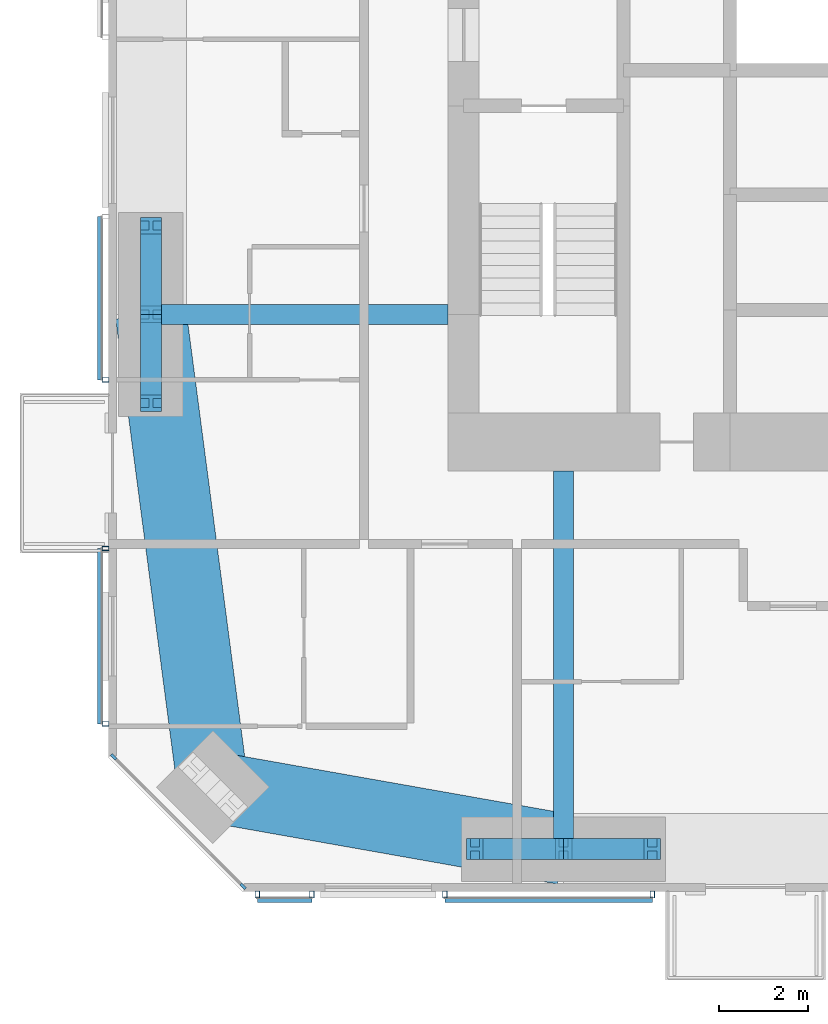
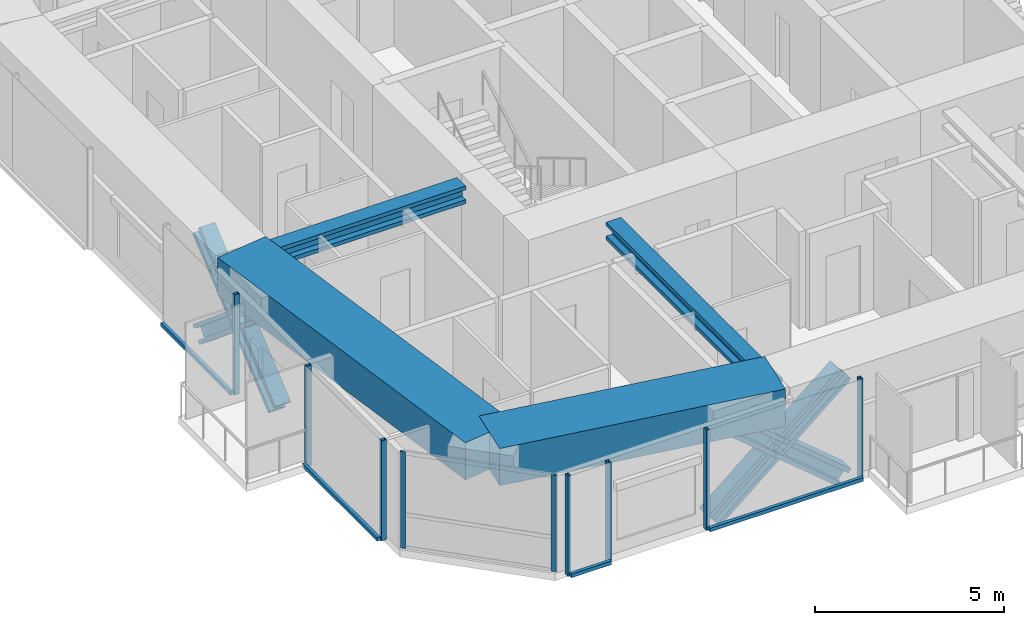
# One storey, part 2 of 23: 21 members, 4 beams, 5 elements without a shape of their own.
"""IFC4 building model written with IfcOpenShell, lengths in metres."""

from ifc_helpers import new_model, si_unit, direction, frame, origin, origin_2d, place, context, subcontext, project, spatial, rectangle, hollow_rectangle, i_section, extrude, material, material_profile, profile_set, type_object, element, aggregate, save


model = new_model("IFC4")

# Units and contexts
model_context = context("Model", 3, precision=1e-05, world=origin(), true_north=direction((0.0, 1.0)))
body_context = subcontext(model_context, "Body", "Model", "MODEL_VIEW")
ifc_project = project(units=[si_unit("LENGTHUNIT", "METRE"), si_unit("AREAUNIT", "SQUARE_METRE"), si_unit("VOLUMEUNIT", "CUBIC_METRE"), si_unit("PLANEANGLEUNIT", "RADIAN"), si_unit("MASSUNIT", "GRAM", prefix="KILO")], contexts=[model_context])

# Site, building, storey
site_placement = place(None, origin())
site = spatial("IfcSite", under=ifc_project, at=site_placement, CompositionType="ELEMENT")
building_placement = place(site_placement, origin())
building = spatial("IfcBuilding", under=site, at=building_placement, Name="Jalousie Tower", CompositionType="ELEMENT")
storey_placement = place(building_placement, frame((0.0, 0.0, 171.10009765625)))
storey = spatial("IfcBuildingStorey", under=building, at=storey_placement, Name="L46", CompositionType="ELEMENT", Elevation=171.10009765625)

# Curtain wall, members
ifc_material_1 = material(Name="Aluminium curtain wall", Category="aluminium")
curtain_wall_type_1 = type_object("IfcCurtainWallType", Name="CORNER WINDOW WALL", PredefinedType="USERDEFINED", material=ifc_material_1)
curtain_wall_1_placement = place(storey_placement, origin())
curtain_wall_1 = element("IfcCurtainWall", 1, at=curtain_wall_1_placement, inside=storey, type_object=curtain_wall_type_1, Name="Corner Window Wall L46 8", ObjectType="CORNER WINDOW WALL", PredefinedType="USERDEFINED")
ifc_material_2 = material(Name="Aluminium mullion", Category="aluminium")
ifc_material_profile_1 = material_profile(ifc_material_2, rectangle(XDim=0.06005859375, YDim=0.14990234375, at=origin_2d()), Name="MULLION 60x150")
ifc_profile_set_1 = profile_set([ifc_material_profile_1], Name="Aluminium mullion")
member_type_1 = type_object("IfcMemberType", Name="CORNER WINDOW WALL MULLION", PredefinedType="MULLION", material=ifc_profile_set_1)
member_1_placement = place(storey_placement, frame((12.108642578125, 3.030029296875, 0.0), z_axis=(0.0, 0.0, 1.0), x_axis=(0.707106781187, 0.707106781187, 0.0)))
member_1 = element("IfcMember", 2, at=member_1_placement, type_object=member_type_1, Name="CW-C mullion 1", PredefinedType="MULLION", context=body_context, shape_type="SweptSolid", body=[
    extrude(rectangle(XDim=0.06005859375, YDim=0.14990234375, at=origin_2d()), origin(), (0.0, 0.0, 1.0), 3.10986328125),
])
member_2_placement = place(storey_placement, frame((15.030029296875, 0.108642578125, 0.0), z_axis=(0.0, 0.0, 1.0), x_axis=(0.707106781187, 0.707106781187, 0.0)))
member_2 = element("IfcMember", 3, at=member_2_placement, type_object=member_type_1, Name="CW-C mullion 2", PredefinedType="MULLION", context=body_context, shape_type="SweptSolid", body=[
    extrude(rectangle(XDim=0.06005859375, YDim=0.14990234375, at=origin_2d()), origin(), (0.0, 0.0, 1.0), 3.10986328125),
])
aggregate(curtain_wall_1, [member_1, member_2])

# Beams
ifc_material_3 = material(Name="Steel ASTM A992 Grade 50", Category="steel")
ifc_material_profile_2 = material_profile(ifc_material_3, i_section(OverallWidth=0.45458984375, OverallDepth=0.569091796875, WebThickness=0.077880859375, FlangeThickness=0.124755859375, at=origin_2d()), Name="W14X730")
ifc_profile_set_2 = profile_set([ifc_material_profile_2], Name="Steel ASTM A992 Grade 50")
beam_type_1 = type_object("IfcBeamType", Name="LEAN COLLECTOR W14X730", PredefinedType="BEAM", material=ifc_profile_set_2)
beam_1_placement = place(storey_placement, frame((12.949951171875, 13.0, 2.825439453125), z_axis=(1.0, 0.0, 0.0), x_axis=(0.0, 1.0, 0.0)))
element("IfcBeam", 4, at=beam_1_placement, inside=storey, type_object=beam_type_1, Name="Lean collector under L47", PredefinedType="BEAM", context=body_context, shape_type="SweptSolid", body=[
    extrude(i_section(OverallWidth=0.45458984375, OverallDepth=0.569091796875, WebThickness=0.077880859375, FlangeThickness=0.124755859375, at=origin_2d()), origin(), (0.0, 0.0, 1.0), 6.699951171875),
])
beam_2_placement = place(storey_placement, frame((22.25, 0.949951171875, 2.825439453125), z_axis=(0.0, 1.0, 0.0), x_axis=(-1.0, 0.0, 0.0)))
element("IfcBeam", 5, at=beam_2_placement, inside=storey, type_object=beam_type_1, Name="Lean collector under L47", PredefinedType="BEAM", context=body_context, shape_type="SweptSolid", body=[
    extrude(i_section(OverallWidth=0.45458984375, OverallDepth=0.569091796875, WebThickness=0.077880859375, FlangeThickness=0.124755859375, at=origin_2d()), origin(), (0.0, 0.0, 1.0), 8.525146484375),
])

# Members
ifc_material_4 = material(Name="Steel ASTM A992 Grade 50", Category="steel")
ifc_material_profile_3 = material_profile(ifc_material_4, i_section(OverallWidth=0.472412109375, OverallDepth=0.5791015625, WebThickness=0.094970703125, FlangeThickness=0.1298828125, at=origin_2d()), Name="W14X808")
ifc_profile_set_3 = profile_set([ifc_material_profile_3], Name="Steel ASTM A992 Grade 50")
member_type_2 = type_object("IfcMemberType", Name="PERIMETER BRACE W14X808", PredefinedType="BRACE", material=ifc_profile_set_3)
for number, where, z_axis, x_axis, name in (
    (6, (20.25, 0.949951171875, -0.60009765625), (0.766638753323, 0.0, 0.642078672674), (0.0, 1.0, 0.0), "Perimeter brace 02 L46 part 1"),
    (7, (22.25, 0.949951171875, 1.074951171875), (0.766638753323, 0.0, 0.642078672674), (0.0, 1.0, 0.0), "Perimeter brace 02 L46 part 2"),
    (8, (24.25, 0.949951171875, -0.60009765625), (-0.766638753323, 0.0, 0.642078672674), (0.0, -1.0, 0.0), "Perimeter brace 02 L46 part 3"),
    (9, (22.25, 0.949951171875, 1.074951171875), (-0.766638753323, 0.0, 0.642078672674), (0.0, -1.0, 0.0), "Perimeter brace 02 L46 part 4"),
    (10, (12.949951171875, 11.0, -0.60009765625), (0.0, 0.766638753323, 0.642078672674), (-1.0, 0.0, 0.0), "Perimeter brace 14 L46 part 1"),
    (11, (12.949951171875, 13.0, 1.074951171875), (0.0, 0.766638753323, 0.642078672674), (-1.0, 0.0, 0.0), "Perimeter brace 14 L46 part 2"),
    (12, (12.949951171875, 15.0, -0.60009765625), (0.0, -0.766638753323, 0.642078672674), (1.0, 0.0, 0.0), "Perimeter brace 14 L46 part 3"),
    (13, (12.949951171875, 13.0, 1.074951171875), (0.0, -0.766638753323, 0.642078672674), (1.0, 0.0, 0.0), "Perimeter brace 14 L46 part 4"),
):
    element("IfcMember", number, at=place(storey_placement, frame(where, z_axis=z_axis, x_axis=x_axis)), inside=storey, type_object=member_type_2, Name=name, PredefinedType="BRACE", context=body_context, shape_type="SweptSolid", body=[
        extrude(i_section(OverallWidth=0.472412109375, OverallDepth=0.5791015625, WebThickness=0.094970703125, FlangeThickness=0.1298828125, at=origin_2d()), origin(), (0.0, 0.0, 1.0), 2.60888671875),
    ])

# Beams
ifc_material_5 = material(Name="Concrete f'c 40 MPa", Category="concrete")
ifc_material_profile_4 = material_profile(ifc_material_5, rectangle(XDim=1.60009765625, YDim=1.199951171875, at=origin_2d()), Name="RC 1600x1200")
ifc_profile_set_4 = profile_set([ifc_material_profile_4], Name="Concrete f'c 40 MPa")
beam_type_2 = type_object("IfcBeamType", Name="RC BEAM 1600x1200", PredefinedType="BEAM", material=ifc_profile_set_4)
beam_3_placement = place(storey_placement, frame((14.348388671875, 2.348388671875, 2.75), z_axis=(0.984697370688, -0.174273027632, 0.0), x_axis=(0.174273027632, 0.984697370688, 0.0)))
element("IfcBeam", 14, at=beam_3_placement, inside=storey, type_object=beam_type_2, Name="Edge band beam 01-02 under L47", PredefinedType="BEAM", context=body_context, shape_type="SweptSolid", body=[
    extrude(rectangle(XDim=1.60009765625, YDim=1.199951171875, at=origin_2d()), origin(), (0.0, 0.0, 1.0), 8.0244140625),
])
beam_4_placement = place(storey_placement, frame((12.949951171875, 13.0, 2.75), z_axis=(0.130171745558, -0.991491460709, 0.0), x_axis=(0.991491460709, 0.130171745558, 0.0)))
element("IfcBeam", 15, at=beam_4_placement, inside=storey, type_object=beam_type_2, Name="Edge band beam 14-01 under L47", PredefinedType="BEAM", context=body_context, shape_type="SweptSolid", body=[
    extrude(rectangle(XDim=1.60009765625, YDim=1.199951171875, at=origin_2d()), origin(), (0.0, 0.0, 1.0), 10.742919921875),
])

# Curtain wall, members
ifc_material_6 = material(Name="Perforated aluminium sheet", Category="aluminium")
curtain_wall_type_2 = type_object("IfcCurtainWallType", Name="SOLAR SCREEN SS-1", PredefinedType="USERDEFINED", material=ifc_material_6)
curtain_wall_2_placement = place(storey_placement, origin())
curtain_wall_2 = element("IfcCurtainWall", 16, at=curtain_wall_2_placement, inside=storey, type_object=curtain_wall_type_2, Name="Solar screen L46", ObjectType="SOLAR SCREEN SS-1", PredefinedType="USERDEFINED")
ifc_material_7 = material(Name="Steel ASTM A500 Grade C", Category="steel")
ifc_material_profile_5 = material_profile(ifc_material_7, hollow_rectangle(XDim=0.1015625, YDim=0.15234375, WallThickness=0.00634765625, at=origin_2d()), Name="HSS6X4X1/4")
ifc_profile_set_5 = profile_set([ifc_material_profile_5], Name="Steel ASTM A500 Grade C")
member_type_3 = type_object("IfcMemberType", Name="SOLAR SCREEN SS-1 MULLION", PredefinedType="MULLION", material=ifc_profile_set_5)
member_3_placement = place(storey_placement, frame((15.351318359375, -0.0712890625, -0.1201171875), z_axis=(0.0, 0.0, 1.0), x_axis=(1.0, 0.0, 0.0)))
member_3 = element("IfcMember", 17, at=member_3_placement, type_object=member_type_3, Name="SS1 post 1", PredefinedType="MULLION", context=body_context, shape_type="SweptSolid", body=[
    extrude(hollow_rectangle(XDim=0.1015625, YDim=0.15234375, WallThickness=0.00634765625, at=origin_2d()), origin(), (0.0, 0.0, 1.0), 3.22998046875),
])
member_4_placement = place(storey_placement, frame((16.57568359375, -0.0712890625, -0.1201171875), z_axis=(0.0, 0.0, 1.0), x_axis=(1.0, 0.0, 0.0)))
member_4 = element("IfcMember", 18, at=member_4_placement, type_object=member_type_3, Name="SS1 post 2", PredefinedType="MULLION", context=body_context, shape_type="SweptSolid", body=[
    extrude(hollow_rectangle(XDim=0.1015625, YDim=0.15234375, WallThickness=0.00634765625, at=origin_2d()), origin(), (0.0, 0.0, 1.0), 3.22998046875),
])

curtain_wall_3_placement = place(storey_placement, origin())
curtain_wall_3 = element("IfcCurtainWall", 19, at=curtain_wall_3_placement, inside=storey, type_object=curtain_wall_type_2, Name="Solar screen L46", ObjectType="SOLAR SCREEN SS-1", PredefinedType="USERDEFINED")
member_5_placement = place(storey_placement, frame((19.57568359375, -0.0712890625, -0.1201171875), z_axis=(0.0, 0.0, 1.0), x_axis=(1.0, 0.0, 0.0)))
member_5 = element("IfcMember", 20, at=member_5_placement, type_object=member_type_3, Name="SS1 post 1", PredefinedType="MULLION", context=body_context, shape_type="SweptSolid", body=[
    extrude(hollow_rectangle(XDim=0.1015625, YDim=0.15234375, WallThickness=0.00634765625, at=origin_2d()), origin(), (0.0, 0.0, 1.0), 3.22998046875),
])
member_6_placement = place(storey_placement, frame((24.25, -0.0712890625, -0.1201171875), z_axis=(0.0, 0.0, 1.0), x_axis=(1.0, 0.0, 0.0)))
member_6 = element("IfcMember", 21, at=member_6_placement, type_object=member_type_3, Name="SS1 post 2", PredefinedType="MULLION", context=body_context, shape_type="SweptSolid", body=[
    extrude(hollow_rectangle(XDim=0.1015625, YDim=0.15234375, WallThickness=0.00634765625, at=origin_2d()), origin(), (0.0, 0.0, 1.0), 3.22998046875),
])

# Curtain wall, member
curtain_wall_4_placement = place(storey_placement, origin())
curtain_wall_4 = element("IfcCurtainWall", 22, at=curtain_wall_4_placement, inside=storey, type_object=curtain_wall_type_2, Name="Solar screen L46", ObjectType="SOLAR SCREEN SS-1", PredefinedType="USERDEFINED")
member_7_placement = place(storey_placement, frame((11.9287109375, 11.52490234375, -0.1201171875), z_axis=(0.0, 0.0, 1.0), x_axis=(0.0, -1.0, 0.0)))
member_7 = element("IfcMember", 23, at=member_7_placement, type_object=member_type_3, Name="SS1 post 2", PredefinedType="MULLION", context=body_context, shape_type="SweptSolid", body=[
    extrude(hollow_rectangle(XDim=0.1015625, YDim=0.15234375, WallThickness=0.00634765625, at=origin_2d()), origin(), (0.0, 0.0, 1.0), 3.22998046875),
])

# Curtain wall, members
curtain_wall_5_placement = place(storey_placement, origin())
curtain_wall_5 = element("IfcCurtainWall", 24, at=curtain_wall_5_placement, inside=storey, type_object=curtain_wall_type_2, Name="Solar screen L46", ObjectType="SOLAR SCREEN SS-1", PredefinedType="USERDEFINED")
member_8_placement = place(storey_placement, frame((11.9287109375, 7.72509765625, -0.1201171875), z_axis=(0.0, 0.0, 1.0), x_axis=(0.0, -1.0, 0.0)))
member_8 = element("IfcMember", 25, at=member_8_placement, type_object=member_type_3, Name="SS1 post 1", PredefinedType="MULLION", context=body_context, shape_type="SweptSolid", body=[
    extrude(hollow_rectangle(XDim=0.1015625, YDim=0.15234375, WallThickness=0.00634765625, at=origin_2d()), origin(), (0.0, 0.0, 1.0), 3.22998046875),
])
member_9_placement = place(storey_placement, frame((11.9287109375, 3.771240234375, -0.1201171875), z_axis=(0.0, 0.0, 1.0), x_axis=(0.0, -1.0, 0.0)))
member_9 = element("IfcMember", 26, at=member_9_placement, type_object=member_type_3, Name="SS1 post 2", PredefinedType="MULLION", context=body_context, shape_type="SweptSolid", body=[
    extrude(hollow_rectangle(XDim=0.1015625, YDim=0.15234375, WallThickness=0.00634765625, at=origin_2d()), origin(), (0.0, 0.0, 1.0), 3.22998046875),
])

# Member
ifc_material_8 = material(Name="Extruded aluminium screen rail", Category="aluminium")
ifc_material_profile_6 = material_profile(ifc_material_8, rectangle(XDim=0.1015625, YDim=0.1201171875, at=origin_2d()), Name="RAIL 102x120")
ifc_profile_set_6 = profile_set([ifc_material_profile_6], Name="Extruded aluminium screen rail")
member_type_4 = type_object("IfcMemberType", Name="SOLAR SCREEN SS-1 TRANSOM", PredefinedType="USERDEFINED", material=ifc_profile_set_6)
member_10_placement = place(storey_placement, frame((15.351318359375, -0.1982421875, -0.06005859375), z_axis=(1.0, 0.0, 0.0), x_axis=(0.0, 1.0, 0.0)))
member_10 = element("IfcMember", 27, at=member_10_placement, type_object=member_type_4, Name="SS1 rail", ObjectType="TRANSOM", PredefinedType="USERDEFINED", context=body_context, shape_type="SweptSolid", body=[
    extrude(rectangle(XDim=0.1015625, YDim=0.1201171875, at=origin_2d()), origin(), (0.0, 0.0, 1.0), 1.224365234375),
])

aggregate(curtain_wall_2, [member_3, member_4, member_10])

member_11_placement = place(storey_placement, frame((19.57568359375, -0.1982421875, -0.06005859375), z_axis=(1.0, 0.0, 0.0), x_axis=(0.0, 1.0, 0.0)))
member_11 = element("IfcMember", 28, at=member_11_placement, type_object=member_type_4, Name="SS1 rail", ObjectType="TRANSOM", PredefinedType="USERDEFINED", context=body_context, shape_type="SweptSolid", body=[
    extrude(rectangle(XDim=0.1015625, YDim=0.1201171875, at=origin_2d()), origin(), (0.0, 0.0, 1.0), 4.67431640625),
])

aggregate(curtain_wall_3, [member_5, member_6, member_11])

member_12_placement = place(storey_placement, frame((11.8017578125, 15.205078125, -0.06005859375), z_axis=(0.0, -1.0, 0.0), x_axis=(1.0, 0.0, 0.0)))
member_12 = element("IfcMember", 29, at=member_12_placement, type_object=member_type_4, Name="SS1 rail", ObjectType="TRANSOM", PredefinedType="USERDEFINED", context=body_context, shape_type="SweptSolid", body=[
    extrude(rectangle(XDim=0.1015625, YDim=0.1201171875, at=origin_2d()), origin(), (0.0, 0.0, 1.0), 3.68017578125),
])

aggregate(curtain_wall_4, [member_7, member_12])

member_13_placement = place(storey_placement, frame((11.8017578125, 7.72509765625, -0.06005859375), z_axis=(0.0, -1.0, 0.0), x_axis=(1.0, 0.0, 0.0)))
member_13 = element("IfcMember", 30, at=member_13_placement, type_object=member_type_4, Name="SS1 rail", ObjectType="TRANSOM", PredefinedType="USERDEFINED", context=body_context, shape_type="SweptSolid", body=[
    extrude(rectangle(XDim=0.1015625, YDim=0.1201171875, at=origin_2d()), origin(), (0.0, 0.0, 1.0), 3.953857421875),
])

aggregate(curtain_wall_5, [member_8, member_9, member_13])

save(model, "model.ifc")
